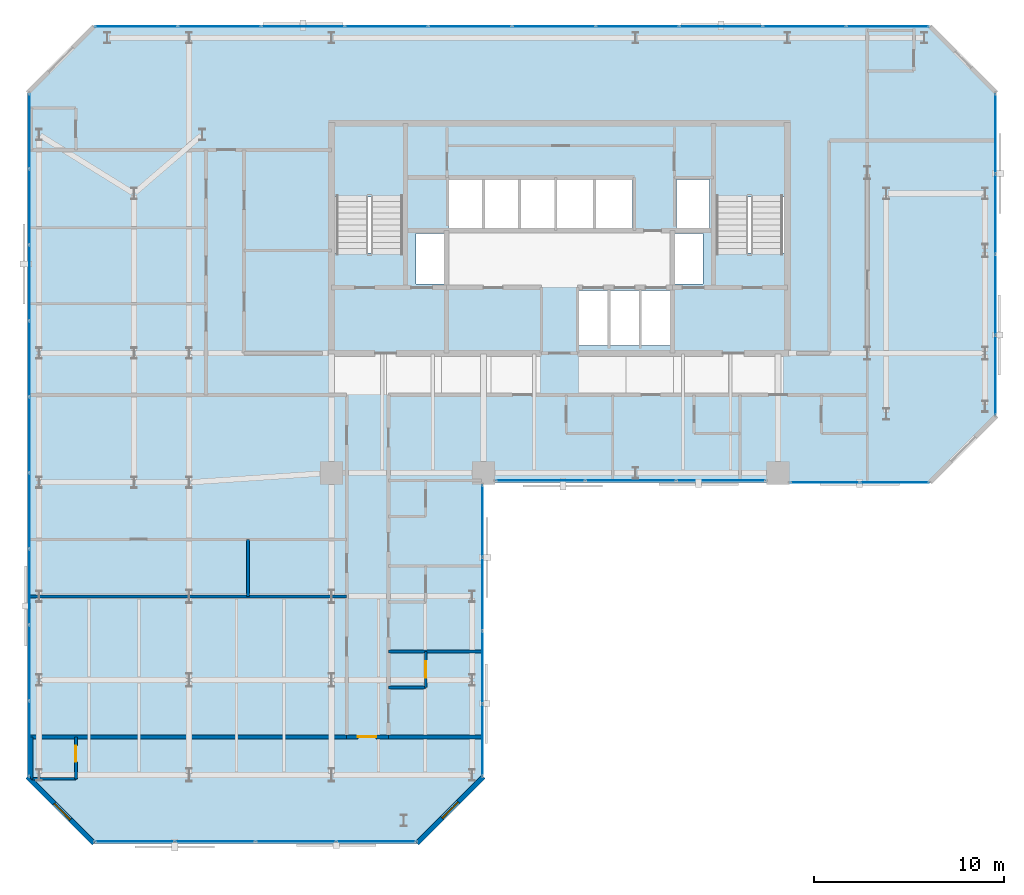
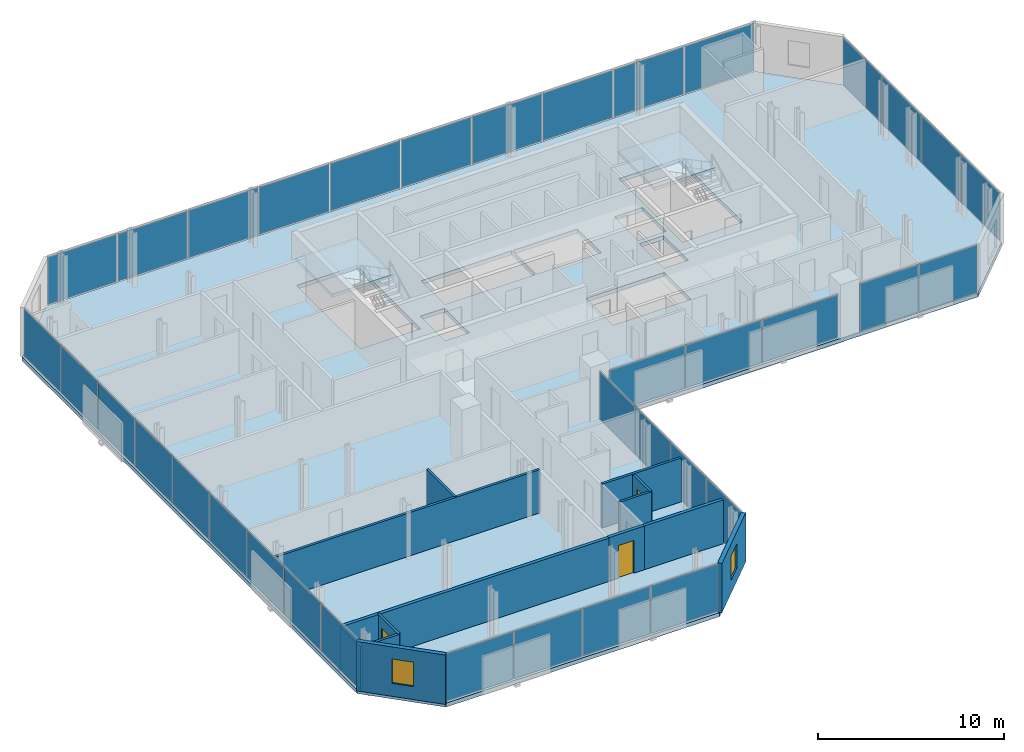
# One storey, part 27 of 32: 36 plates, 13 walls, 3 doors, 3 slabs, 2 windows, 5 openings, 9 elements without a shape of their own.
"""IFC4 building model written with IfcOpenShell, lengths in metres."""

from ifc_helpers import new_model, si_unit, direction, frame, frame_2d, origin, origin_2d, place, context, subcontext, project, spatial, polyline, rectangle, outline, extrude, material, layer, layer_set, type_object, element, fill, aggregate, save


model = new_model("IFC4")

# Units and contexts
model_context = context("Model", 3, precision=1e-05, world=origin(), true_north=direction((0.0, 1.0)))
body_context = subcontext(model_context, "Body", "Model", "MODEL_VIEW")
ifc_project = project(units=[si_unit("LENGTHUNIT", "METRE"), si_unit("AREAUNIT", "SQUARE_METRE"), si_unit("VOLUMEUNIT", "CUBIC_METRE"), si_unit("PLANEANGLEUNIT", "RADIAN"), si_unit("MASSUNIT", "GRAM", prefix="KILO")], contexts=[model_context])

# Site, building, storey
site_placement = place(None, origin())
site = spatial("IfcSite", under=ifc_project, at=site_placement, CompositionType="ELEMENT")
building_placement = place(site_placement, origin())
building = spatial("IfcBuilding", under=site, at=building_placement, Name="Catumbela Crestline Tower", CompositionType="ELEMENT")
storey_placement = place(building_placement, frame((0.0, 0.0, 140.4)))
storey = spatial("IfcBuildingStorey", under=building, at=storey_placement, Name="L36", CompositionType="ELEMENT", Elevation=140.4)

# Curtain wall, plates
ifc_material_1 = material(Name="Aluminium alloy AW-6060-T66", Category="aluminium")
ifc_layer_1 = layer(ifc_material_1, 0.18, Name="Aluminium alloy AW-6060-T66")
ifc_layer_set_1 = layer_set([ifc_layer_1], Name="Aluminium alloy AW-6060-T66")
curtain_wall_type = type_object("IfcCurtainWallType", Name="CWU-Z2", PredefinedType="USERDEFINED", material=ifc_layer_set_1)
curtain_wall_1_placement = place(storey_placement, origin())
curtain_wall_1 = element("IfcCurtainWall", 1, at=curtain_wall_1_placement, inside=storey, type_object=curtain_wall_type, Name="L36 Unitised Curtain Wall CW-L36-E0S1", ObjectType="UNITISED", PredefinedType="USERDEFINED")
ifc_material_2 = material(Name="Low-E laminated solar-control double glazing", Category="glass")
ifc_layer_2 = layer(ifc_material_2, 0.036, Name="Low-E laminated solar-control double glazing")
ifc_layer_set_2 = layer_set([ifc_layer_2], Name="Low-E laminated solar-control double glazing")
plate_type = type_object("IfcPlateType", Name="PNL-GLZ-Z2", PredefinedType="CURTAIN_PANEL", material=ifc_layer_set_2)
plate_1_placement = place(storey_placement, frame((5.6412, 5.1, 0.06), z_axis=(0.0, 0.0, 1.0), x_axis=(1.0, 0.0, 0.0)))
plate_1 = element("IfcPlate", 2, at=plate_1_placement, type_object=plate_type, Name="CWU-Z2 panel 1.1", PredefinedType="CURTAIN_PANEL", context=body_context, shape_type="SweptSolid", body=[
    extrude(rectangle(XDim=4.1525, YDim=0.034, at=origin_2d()), origin(), (0.0, 0.0, 1.0), 3.12),
])
plate_2_placement = place(storey_placement, frame((9.875, 5.1, 0.06), z_axis=(0.0, 0.0, 1.0), x_axis=(1.0, 0.0, 0.0)))
plate_2 = element("IfcPlate", 3, at=plate_2_placement, type_object=plate_type, Name="CWU-Z2 panel 2.1", PredefinedType="CURTAIN_PANEL", context=body_context, shape_type="SweptSolid", body=[
    extrude(rectangle(XDim=4.185, YDim=0.034, at=origin_2d()), origin(), (0.0, 0.0, 1.0), 3.12),
])
plate_3_placement = place(storey_placement, frame((14.125, 5.1, 0.06), z_axis=(0.0, 0.0, 1.0), x_axis=(1.0, 0.0, 0.0)))
plate_3 = element("IfcPlate", 4, at=plate_3_placement, type_object=plate_type, Name="CWU-Z2 panel 3.1", PredefinedType="CURTAIN_PANEL", context=body_context, shape_type="SweptSolid", body=[
    extrude(rectangle(XDim=4.185, YDim=0.034, at=origin_2d()), origin(), (0.0, 0.0, 1.0), 3.12),
])
plate_4_placement = place(storey_placement, frame((18.3588, 5.1, 0.06), z_axis=(0.0, 0.0, 1.0), x_axis=(1.0, 0.0, 0.0)))
plate_4 = element("IfcPlate", 5, at=plate_4_placement, type_object=plate_type, Name="CWU-Z2 panel 4.1", PredefinedType="CURTAIN_PANEL", context=body_context, shape_type="SweptSolid", body=[
    extrude(rectangle(XDim=4.1525, YDim=0.034, at=origin_2d()), origin(), (0.0, 0.0, 1.0), 3.12),
])
aggregate(curtain_wall_1, [plate_1, plate_2, plate_3, plate_4])

curtain_wall_2_placement = place(storey_placement, origin())
curtain_wall_2 = element("IfcCurtainWall", 6, at=curtain_wall_2_placement, inside=storey, type_object=curtain_wall_type, Name="L36 Unitised Curtain Wall CW-L36-E2S1", ObjectType="UNITISED", PredefinedType="USERDEFINED")
plate_5_placement = place(storey_placement, frame((23.95, 10.4412, 0.06), z_axis=(0.0, 0.0, 1.0), x_axis=(0.0, 1.0, 0.0)))
plate_5 = element("IfcPlate", 7, at=plate_5_placement, type_object=plate_type, Name="CWU-Z2 panel 1.1", PredefinedType="CURTAIN_PANEL", context=body_context, shape_type="SweptSolid", body=[
    extrude(rectangle(XDim=3.7525, YDim=0.034, at=origin_2d()), origin(), (0.0, 0.0, 1.0), 3.12),
])
plate_6_placement = place(storey_placement, frame((23.95, 14.275, 0.06), z_axis=(0.0, 0.0, 1.0), x_axis=(0.0, 1.0, 0.0)))
plate_6 = element("IfcPlate", 8, at=plate_6_placement, type_object=plate_type, Name="CWU-Z2 panel 2.1", PredefinedType="CURTAIN_PANEL", context=body_context, shape_type="SweptSolid", body=[
    extrude(rectangle(XDim=3.785, YDim=0.034, at=origin_2d()), origin(), (0.0, 0.0, 1.0), 3.12),
])
plate_7_placement = place(storey_placement, frame((23.95, 18.125, 0.06), z_axis=(0.0, 0.0, 1.0), x_axis=(0.0, 1.0, 0.0)))
plate_7 = element("IfcPlate", 9, at=plate_7_placement, type_object=plate_type, Name="CWU-Z2 panel 3.1", PredefinedType="CURTAIN_PANEL", context=body_context, shape_type="SweptSolid", body=[
    extrude(rectangle(XDim=3.785, YDim=0.034, at=origin_2d()), origin(), (0.0, 0.0, 1.0), 3.12),
])
plate_8_placement = place(storey_placement, frame((23.95, 21.9587, 0.06), z_axis=(0.0, 0.0, 1.0), x_axis=(0.0, 1.0, 0.0)))
plate_8 = element("IfcPlate", 10, at=plate_8_placement, type_object=plate_type, Name="CWU-Z2 panel 4.1", PredefinedType="CURTAIN_PANEL", context=body_context, shape_type="SweptSolid", body=[
    extrude(rectangle(XDim=3.7525, YDim=0.034, at=origin_2d()), origin(), (0.0, 0.0, 1.0), 3.12),
])
aggregate(curtain_wall_2, [plate_5, plate_6, plate_7, plate_8])

curtain_wall_3_placement = place(storey_placement, origin())
curtain_wall_3 = element("IfcCurtainWall", 11, at=curtain_wall_3_placement, inside=storey, type_object=curtain_wall_type, Name="L36 Unitised Curtain Wall CW-L36-E3S1", ObjectType="UNITISED", PredefinedType="USERDEFINED")
plate_9_placement = place(storey_placement, frame((26.9996, 24.1, 0.06), z_axis=(0.0, 0.0, 1.0), x_axis=(1.0, 0.0, 0.0)))
plate_9 = element("IfcPlate", 12, at=plate_9_placement, type_object=plate_type, Name="CWU-Z2 panel 1.1", PredefinedType="CURTAIN_PANEL", context=body_context, shape_type="SweptSolid", body=[
    extrude(rectangle(XDim=4.6692, YDim=0.034, at=origin_2d()), origin(), (0.0, 0.0, 1.0), 2.8),
])
plate_10_placement = place(storey_placement, frame((31.75, 24.1, 0.06), z_axis=(0.0, 0.0, 1.0), x_axis=(1.0, 0.0, 0.0)))
plate_10 = element("IfcPlate", 13, at=plate_10_placement, type_object=plate_type, Name="CWU-Z2 panel 2.1", PredefinedType="CURTAIN_PANEL", context=body_context, shape_type="SweptSolid", body=[
    extrude(rectangle(XDim=4.7017, YDim=0.034, at=origin_2d()), origin(), (0.0, 0.0, 1.0), 2.8),
])
plate_11_placement = place(storey_placement, frame((36.5004, 24.1, 0.06), z_axis=(0.0, 0.0, 1.0), x_axis=(1.0, 0.0, 0.0)))
plate_11 = element("IfcPlate", 14, at=plate_11_placement, type_object=plate_type, Name="CWU-Z2 panel 3.1", PredefinedType="CURTAIN_PANEL", context=body_context, shape_type="SweptSolid", body=[
    extrude(rectangle(XDim=4.6692, YDim=0.034, at=origin_2d()), origin(), (0.0, 0.0, 1.0), 2.8),
])
aggregate(curtain_wall_3, [plate_9, plate_10, plate_11])

curtain_wall_4_placement = place(storey_placement, origin())
curtain_wall_4 = element("IfcCurtainWall", 15, at=curtain_wall_4_placement, inside=storey, type_object=curtain_wall_type, Name="L36 Unitised Curtain Wall CW-L36-E3S2", ObjectType="UNITISED", PredefinedType="USERDEFINED")
plate_12_placement = place(storey_placement, frame((41.9662, 24.0, 0.06), z_axis=(0.0, 0.0, 1.0), x_axis=(1.0, 0.0, 0.0)))
plate_12 = element("IfcPlate", 16, at=plate_12_placement, type_object=plate_type, Name="CWU-Z2 panel 1.1", PredefinedType="CURTAIN_PANEL", context=body_context, shape_type="SweptSolid", body=[
    extrude(rectangle(XDim=3.6025, YDim=0.034, at=origin_2d()), origin(), (0.0, 0.0, 1.0), 3.12),
])
plate_13_placement = place(storey_placement, frame((45.6338, 24.0, 0.06), z_axis=(0.0, 0.0, 1.0), x_axis=(1.0, 0.0, 0.0)))
plate_13 = element("IfcPlate", 17, at=plate_13_placement, type_object=plate_type, Name="CWU-Z2 panel 2.1", PredefinedType="CURTAIN_PANEL", context=body_context, shape_type="SweptSolid", body=[
    extrude(rectangle(XDim=3.6025, YDim=0.034, at=origin_2d()), origin(), (0.0, 0.0, 1.0), 3.12),
])
aggregate(curtain_wall_4, [plate_12, plate_13])

curtain_wall_5_placement = place(storey_placement, origin())
curtain_wall_5 = element("IfcCurtainWall", 18, at=curtain_wall_5_placement, inside=storey, type_object=curtain_wall_type, Name="L36 Unitised Curtain Wall CW-L36-E5S1", ObjectType="UNITISED", PredefinedType="USERDEFINED")
plate_14_placement = place(storey_placement, frame((50.95, 29.6412, 0.06), z_axis=(0.0, 0.0, 1.0), x_axis=(0.0, 1.0, 0.0)))
plate_14 = element("IfcPlate", 19, at=plate_14_placement, type_object=plate_type, Name="CWU-Z2 panel 1.1", PredefinedType="CURTAIN_PANEL", context=body_context, shape_type="SweptSolid", body=[
    extrude(rectangle(XDim=4.1525, YDim=0.034, at=origin_2d()), origin(), (0.0, 0.0, 1.0), 3.12),
])
plate_15_placement = place(storey_placement, frame((50.95, 33.875, 0.06), z_axis=(0.0, 0.0, 1.0), x_axis=(0.0, 1.0, 0.0)))
plate_15 = element("IfcPlate", 20, at=plate_15_placement, type_object=plate_type, Name="CWU-Z2 panel 2.1", PredefinedType="CURTAIN_PANEL", context=body_context, shape_type="SweptSolid", body=[
    extrude(rectangle(XDim=4.185, YDim=0.034, at=origin_2d()), origin(), (0.0, 0.0, 1.0), 3.12),
])
plate_16_placement = place(storey_placement, frame((50.95, 38.125, 0.06), z_axis=(0.0, 0.0, 1.0), x_axis=(0.0, 1.0, 0.0)))
plate_16 = element("IfcPlate", 21, at=plate_16_placement, type_object=plate_type, Name="CWU-Z2 panel 3.1", PredefinedType="CURTAIN_PANEL", context=body_context, shape_type="SweptSolid", body=[
    extrude(rectangle(XDim=4.185, YDim=0.034, at=origin_2d()), origin(), (0.0, 0.0, 1.0), 3.12),
])
plate_17_placement = place(storey_placement, frame((50.95, 42.3588, 0.06), z_axis=(0.0, 0.0, 1.0), x_axis=(0.0, 1.0, 0.0)))
plate_17 = element("IfcPlate", 22, at=plate_17_placement, type_object=plate_type, Name="CWU-Z2 panel 4.1", PredefinedType="CURTAIN_PANEL", context=body_context, shape_type="SweptSolid", body=[
    extrude(rectangle(XDim=4.1525, YDim=0.034, at=origin_2d()), origin(), (0.0, 0.0, 1.0), 3.12),
])
aggregate(curtain_wall_5, [plate_14, plate_15, plate_16, plate_17])

curtain_wall_6_placement = place(storey_placement, origin())
curtain_wall_6 = element("IfcCurtainWall", 23, at=curtain_wall_6_placement, inside=storey, type_object=curtain_wall_type, Name="L36 Unitised Curtain Wall CW-L36-E7S1", ObjectType="UNITISED", PredefinedType="USERDEFINED")
plate_18_placement = place(storey_placement, frame((45.2838, 48.0, 0.06), z_axis=(0.0, 0.0, 1.0), x_axis=(-1.0, 0.0, 0.0)))
plate_18 = element("IfcPlate", 24, at=plate_18_placement, type_object=plate_type, Name="CWU-Z2 panel 1.1", PredefinedType="CURTAIN_PANEL", context=body_context, shape_type="SweptSolid", body=[
    extrude(rectangle(XDim=4.3025, YDim=0.034, at=origin_2d()), origin(), (0.0, 0.0, 1.0), 3.12),
])
plate_19_placement = place(storey_placement, frame((40.9, 48.0, 0.06), z_axis=(0.0, 0.0, 1.0), x_axis=(-1.0, 0.0, 0.0)))
plate_19 = element("IfcPlate", 25, at=plate_19_placement, type_object=plate_type, Name="CWU-Z2 panel 2.1", PredefinedType="CURTAIN_PANEL", context=body_context, shape_type="SweptSolid", body=[
    extrude(rectangle(XDim=4.335, YDim=0.034, at=origin_2d()), origin(), (0.0, 0.0, 1.0), 3.12),
])
plate_20_placement = place(storey_placement, frame((36.5, 48.0, 0.06), z_axis=(0.0, 0.0, 1.0), x_axis=(-1.0, 0.0, 0.0)))
plate_20 = element("IfcPlate", 26, at=plate_20_placement, type_object=plate_type, Name="CWU-Z2 panel 3.1", PredefinedType="CURTAIN_PANEL", context=body_context, shape_type="SweptSolid", body=[
    extrude(rectangle(XDim=4.335, YDim=0.034, at=origin_2d()), origin(), (0.0, 0.0, 1.0), 3.12),
])
plate_21_placement = place(storey_placement, frame((32.1, 48.0, 0.06), z_axis=(0.0, 0.0, 1.0), x_axis=(-1.0, 0.0, 0.0)))
plate_21 = element("IfcPlate", 27, at=plate_21_placement, type_object=plate_type, Name="CWU-Z2 panel 4.1", PredefinedType="CURTAIN_PANEL", context=body_context, shape_type="SweptSolid", body=[
    extrude(rectangle(XDim=4.335, YDim=0.034, at=origin_2d()), origin(), (0.0, 0.0, 1.0), 3.12),
])
plate_22_placement = place(storey_placement, frame((27.7, 48.0, 0.06), z_axis=(0.0, 0.0, 1.0), x_axis=(-1.0, 0.0, 0.0)))
plate_22 = element("IfcPlate", 28, at=plate_22_placement, type_object=plate_type, Name="CWU-Z2 panel 5.1", PredefinedType="CURTAIN_PANEL", context=body_context, shape_type="SweptSolid", body=[
    extrude(rectangle(XDim=4.335, YDim=0.034, at=origin_2d()), origin(), (0.0, 0.0, 1.0), 3.12),
])
plate_23_placement = place(storey_placement, frame((23.3, 48.0, 0.06), z_axis=(0.0, 0.0, 1.0), x_axis=(-1.0, 0.0, 0.0)))
plate_23 = element("IfcPlate", 29, at=plate_23_placement, type_object=plate_type, Name="CWU-Z2 panel 6.1", PredefinedType="CURTAIN_PANEL", context=body_context, shape_type="SweptSolid", body=[
    extrude(rectangle(XDim=4.335, YDim=0.034, at=origin_2d()), origin(), (0.0, 0.0, 1.0), 3.12),
])
plate_24_placement = place(storey_placement, frame((18.9, 48.0, 0.06), z_axis=(0.0, 0.0, 1.0), x_axis=(-1.0, 0.0, 0.0)))
plate_24 = element("IfcPlate", 30, at=plate_24_placement, type_object=plate_type, Name="CWU-Z2 panel 7.1", PredefinedType="CURTAIN_PANEL", context=body_context, shape_type="SweptSolid", body=[
    extrude(rectangle(XDim=4.335, YDim=0.034, at=origin_2d()), origin(), (0.0, 0.0, 1.0), 3.12),
])
plate_25_placement = place(storey_placement, frame((14.5, 48.0, 0.06), z_axis=(0.0, 0.0, 1.0), x_axis=(-1.0, 0.0, 0.0)))
plate_25 = element("IfcPlate", 31, at=plate_25_placement, type_object=plate_type, Name="CWU-Z2 panel 8.1", PredefinedType="CURTAIN_PANEL", context=body_context, shape_type="SweptSolid", body=[
    extrude(rectangle(XDim=4.335, YDim=0.034, at=origin_2d()), origin(), (0.0, 0.0, 1.0), 3.12),
])
plate_26_placement = place(storey_placement, frame((10.1, 48.0, 0.06), z_axis=(0.0, 0.0, 1.0), x_axis=(-1.0, 0.0, 0.0)))
plate_26 = element("IfcPlate", 32, at=plate_26_placement, type_object=plate_type, Name="CWU-Z2 panel 9.1", PredefinedType="CURTAIN_PANEL", context=body_context, shape_type="SweptSolid", body=[
    extrude(rectangle(XDim=4.335, YDim=0.034, at=origin_2d()), origin(), (0.0, 0.0, 1.0), 3.12),
])
plate_27_placement = place(storey_placement, frame((5.7162, 48.0, 0.06), z_axis=(0.0, 0.0, 1.0), x_axis=(-1.0, 0.0, 0.0)))
plate_27 = element("IfcPlate", 33, at=plate_27_placement, type_object=plate_type, Name="CWU-Z2 panel 10.1", PredefinedType="CURTAIN_PANEL", context=body_context, shape_type="SweptSolid", body=[
    extrude(rectangle(XDim=4.3025, YDim=0.034, at=origin_2d()), origin(), (0.0, 0.0, 1.0), 3.12),
])
aggregate(curtain_wall_6, [plate_18, plate_19, plate_20, plate_21, plate_22, plate_23, plate_24, plate_25, plate_26, plate_27])

curtain_wall_7_placement = place(storey_placement, origin())
curtain_wall_7 = element("IfcCurtainWall", 34, at=curtain_wall_7_placement, inside=storey, type_object=curtain_wall_type, Name="L36 Unitised Curtain Wall CW-L36-E9S1", ObjectType="UNITISED", PredefinedType="USERDEFINED")
plate_28_placement = place(storey_placement, frame((0.1, 42.4838, 0.06), z_axis=(0.0, 0.0, 1.0), x_axis=(0.0, -1.0, 0.0)))
plate_28 = element("IfcPlate", 35, at=plate_28_placement, type_object=plate_type, Name="CWU-Z2 panel 1.1", PredefinedType="CURTAIN_PANEL", context=body_context, shape_type="SweptSolid", body=[
    extrude(rectangle(XDim=3.9025, YDim=0.034, at=origin_2d()), origin(), (0.0, 0.0, 1.0), 3.12),
])
plate_29_placement = place(storey_placement, frame((0.1, 38.5, 0.06), z_axis=(0.0, 0.0, 1.0), x_axis=(0.0, -1.0, 0.0)))
plate_29 = element("IfcPlate", 36, at=plate_29_placement, type_object=plate_type, Name="CWU-Z2 panel 2.1", PredefinedType="CURTAIN_PANEL", context=body_context, shape_type="SweptSolid", body=[
    extrude(rectangle(XDim=3.935, YDim=0.034, at=origin_2d()), origin(), (0.0, 0.0, 1.0), 3.12),
])
plate_30_placement = place(storey_placement, frame((0.1, 34.5, 0.06), z_axis=(0.0, 0.0, 1.0), x_axis=(0.0, -1.0, 0.0)))
plate_30 = element("IfcPlate", 37, at=plate_30_placement, type_object=plate_type, Name="CWU-Z2 panel 3.1", PredefinedType="CURTAIN_PANEL", context=body_context, shape_type="SweptSolid", body=[
    extrude(rectangle(XDim=3.935, YDim=0.034, at=origin_2d()), origin(), (0.0, 0.0, 1.0), 3.12),
])
plate_31_placement = place(storey_placement, frame((0.1, 30.5, 0.06), z_axis=(0.0, 0.0, 1.0), x_axis=(0.0, -1.0, 0.0)))
plate_31 = element("IfcPlate", 38, at=plate_31_placement, type_object=plate_type, Name="CWU-Z2 panel 4.1", PredefinedType="CURTAIN_PANEL", context=body_context, shape_type="SweptSolid", body=[
    extrude(rectangle(XDim=3.935, YDim=0.034, at=origin_2d()), origin(), (0.0, 0.0, 1.0), 3.12),
])
plate_32_placement = place(storey_placement, frame((0.1, 26.5, 0.06), z_axis=(0.0, 0.0, 1.0), x_axis=(0.0, -1.0, 0.0)))
plate_32 = element("IfcPlate", 39, at=plate_32_placement, type_object=plate_type, Name="CWU-Z2 panel 5.1", PredefinedType="CURTAIN_PANEL", context=body_context, shape_type="SweptSolid", body=[
    extrude(rectangle(XDim=3.935, YDim=0.034, at=origin_2d()), origin(), (0.0, 0.0, 1.0), 3.12),
])
plate_33_placement = place(storey_placement, frame((0.1, 22.5, 0.06), z_axis=(0.0, 0.0, 1.0), x_axis=(0.0, -1.0, 0.0)))
plate_33 = element("IfcPlate", 40, at=plate_33_placement, type_object=plate_type, Name="CWU-Z2 panel 6.1", PredefinedType="CURTAIN_PANEL", context=body_context, shape_type="SweptSolid", body=[
    extrude(rectangle(XDim=3.935, YDim=0.034, at=origin_2d()), origin(), (0.0, 0.0, 1.0), 3.12),
])
plate_34_placement = place(storey_placement, frame((0.1, 18.5, 0.06), z_axis=(0.0, 0.0, 1.0), x_axis=(0.0, -1.0, 0.0)))
plate_34 = element("IfcPlate", 41, at=plate_34_placement, type_object=plate_type, Name="CWU-Z2 panel 7.1", PredefinedType="CURTAIN_PANEL", context=body_context, shape_type="SweptSolid", body=[
    extrude(rectangle(XDim=3.935, YDim=0.034, at=origin_2d()), origin(), (0.0, 0.0, 1.0), 3.12),
])
plate_35_placement = place(storey_placement, frame((0.1, 14.5, 0.06), z_axis=(0.0, 0.0, 1.0), x_axis=(0.0, -1.0, 0.0)))
plate_35 = element("IfcPlate", 42, at=plate_35_placement, type_object=plate_type, Name="CWU-Z2 panel 8.1", PredefinedType="CURTAIN_PANEL", context=body_context, shape_type="SweptSolid", body=[
    extrude(rectangle(XDim=3.935, YDim=0.034, at=origin_2d()), origin(), (0.0, 0.0, 1.0), 3.12),
])
plate_36_placement = place(storey_placement, frame((0.1, 10.5162, 0.06), z_axis=(0.0, 0.0, 1.0), x_axis=(0.0, -1.0, 0.0)))
plate_36 = element("IfcPlate", 43, at=plate_36_placement, type_object=plate_type, Name="CWU-Z2 panel 9.1", PredefinedType="CURTAIN_PANEL", context=body_context, shape_type="SweptSolid", body=[
    extrude(rectangle(XDim=3.9025, YDim=0.034, at=origin_2d()), origin(), (0.0, 0.0, 1.0), 3.12),
])
aggregate(curtain_wall_7, [plate_28, plate_29, plate_30, plate_31, plate_32, plate_33, plate_34, plate_35, plate_36])

# Stair, slab
ifc_material_3 = material(Name="Concrete C45/55", Category="concrete")
stair_type = type_object("IfcStairType", Name="ST-DLG", PredefinedType="HALF_TURN_STAIR", material=ifc_material_3)
stair_1_placement = place(storey_placement, origin())
stair_1 = element("IfcStair", 44, at=stair_1_placement, inside=storey, type_object=stair_type, Name="L36 West Core Pressurised Exit Stair ST-01", PredefinedType="HALF_TURN_STAIR")
ifc_layer_3 = layer(ifc_material_3, 0.2, Name="Concrete C45/55")
ifc_layer_set_3 = layer_set([ifc_layer_3], Name="Concrete C45/55")
slab_type_1 = type_object("IfcSlabType", Name="SL-LND", PredefinedType="LANDING", material=ifc_layer_set_3)
slab_1_placement = place(storey_placement, frame((0.0, 0.0, 1.6)))
slab_1 = element("IfcSlab", 45, at=slab_1_placement, type_object=slab_type_1, Name="ST-01 landing 1", PredefinedType="LANDING", context=body_context, shape_type="SweptSolid", body=[
    extrude(outline(polyline([(19.91, 39.02), (19.91, 42.96), (16.09, 42.96), (16.09, 39.02), (19.91, 39.02)])), origin(), (0.0, 0.0, 1.0), 0.2),
])
aggregate(stair_1, [slab_1])

stair_2_placement = place(storey_placement, origin())
stair_2 = element("IfcStair", 46, at=stair_2_placement, inside=storey, type_object=stair_type, Name="L36 East Core Pressurised Exit Stair ST-02", PredefinedType="HALF_TURN_STAIR")
slab_2_placement = place(storey_placement, frame((0.0, 0.0, 1.6)))
slab_2 = element("IfcSlab", 47, at=slab_2_placement, type_object=slab_type_1, Name="ST-02 landing 1", PredefinedType="LANDING", context=body_context, shape_type="SweptSolid", body=[
    extrude(outline(polyline([(39.91, 39.02), (39.91, 42.96), (36.09, 42.96), (36.09, 39.02), (39.91, 39.02)])), origin(), (0.0, 0.0, 1.0), 0.2),
])
aggregate(stair_2, [slab_2])

# Slab
ifc_layer_4 = layer(ifc_material_3, 0.26, Name="Concrete C45/55")
ifc_layer_set_4 = layer_set([ifc_layer_4], Name="Concrete C45/55")
slab_type_2 = type_object("IfcSlabType", Name="SL-260", PredefinedType="FLOOR", material=ifc_layer_set_4)
slab_3_placement = place(storey_placement, frame((0.0, 0.0, -0.26)))
element("IfcSlab", 48, at=slab_3_placement, inside=storey, type_object=slab_type_2, Name="L36 Structural Floor Slab", PredefinedType="FLOOR", context=body_context, shape_type="SweptSolid", body=[
    extrude(outline(polyline([(3.5, 5.0), (20.5, 5.0), (24.0, 8.5), (24.0, 24.0), (47.5, 24.0), (51.0, 27.5), (51.0, 44.5), (47.5, 48.0), (3.5, 48.0), (0.0, 44.5), (0.0, 8.5), (3.5, 5.0)]), holes=[polyline([(16.13, 36.08), (19.87, 36.08), (19.87, 42.92), (16.13, 42.92), (16.13, 36.08)]), polyline([(36.13, 36.08), (39.87, 36.08), (39.87, 42.92), (36.13, 42.92), (36.13, 36.08)]), polyline([(29.0, 31.2), (33.85, 31.2), (33.85, 34.1), (29.0, 34.1), (29.0, 31.2)]), polyline([(22.15, 37.4), (27.75, 37.4), (27.75, 39.95), (22.15, 39.95), (22.15, 37.4)]), polyline([(27.85, 37.4), (31.85, 37.4), (31.85, 39.95), (27.85, 39.95), (27.85, 37.4)]), polyline([(20.45, 34.45), (21.95, 34.45), (21.95, 37.1), (20.45, 37.1), (20.45, 34.45)]), polyline([(34.05, 34.45), (35.55, 34.45), (35.55, 37.1), (34.05, 37.1), (34.05, 34.45)]), polyline([(34.15, 37.4), (35.9, 37.4), (35.9, 39.95), (34.15, 39.95), (34.15, 37.4)])]), origin(), (0.0, 0.0, 1.0), 0.26),
])

# Wall, opening, door
ifc_material_4 = material(Name="Acoustic gypsum and mineral-wool partition")
ifc_layer_5 = layer(ifc_material_4, 0.2, Name="Acoustic gypsum and mineral-wool partition")
ifc_layer_set_5 = layer_set([ifc_layer_5], Name="Acoustic gypsum and mineral-wool partition")
wall_type_1 = type_object("IfcWallType", Name="WC-200", PredefinedType="PARTITIONING", material=ifc_layer_set_5)
wall_1_placement = place(storey_placement, frame((16.8, 10.6, 0.0), z_axis=(0.0, 0.0, 1.0), x_axis=(1.0, 0.0, 0.0)))
wall_1 = element("IfcWall", 49, at=wall_1_placement, inside=storey, type_object=wall_type_1, Name="L36 Interior Partition PW-L36-STIP-ENT", PredefinedType="PARTITIONING", context=body_context, shape_type="SweptSolid", body=[
    extrude(rectangle(XDim=2.2, YDim=0.2, at=frame_2d((1.1, 0.0))), origin(), (0.0, 0.0, 1.0), 2.87),
])
opening_1_placement = place(wall_1_placement, frame((0.5925, 0.0, 0.0)))
opening_1 = element("IfcOpeningElement", 50, at=opening_1_placement, cuts=wall_1, Name="Opening DF6-095", PredefinedType="OPENING", context=body_context, shape_type="SweptSolid", body=[
    extrude(rectangle(XDim=0.95, YDim=2.15, at=frame_2d((0.475, 1.075))), frame((0.0, 0.11, 0.0), z_axis=(0.0, -1.0, 0.0), x_axis=(1.0, 0.0, 0.0)), (0.0, 0.0, 1.0), 0.22),
])
door_type_1 = type_object("IfcDoorType", Name="DF6-095", OperationType="NOTDEFINED", PredefinedType="DOOR", material=ifc_material_1)
door_1_placement = place(opening_1_placement, origin())
door_1 = element("IfcDoor", 51, at=door_1_placement, inside=storey, type_object=door_type_1, Name="L36 Interior Door DR-L36-STIP-ENT", OperationType="SINGLE_SWING_LEFT", OverallHeight=2.15, OverallWidth=0.95, PredefinedType="DOOR", context=body_context, shape_type="SweptSolid", body=[
    extrude(rectangle(XDim=0.95, YDim=2.15, at=frame_2d((0.475, 1.075))), frame((0.0, 0.025, 0.0), z_axis=(0.0, -1.0, 0.0), x_axis=(1.0, 0.0, 0.0)), (0.0, 0.0, 1.0), 0.05),
])
fill(opening_1, door_1)

# Wall, opening, window
ifc_material_5 = material(Name="Angolan grey-ochre granite", Category="masonry")
ifc_layer_6 = layer(ifc_material_5, 0.25, Name="Angolan grey-ochre granite")
ifc_layer_set_6 = layer_set([ifc_layer_6], Name="Angolan grey-ochre granite")
wall_type_2 = type_object("IfcWallType", Name="WE-250", PredefinedType="STANDARD", material=ifc_layer_set_6)
wall_2_placement = place(storey_placement, frame((20.5, 5.0, 0.0), z_axis=(0.0, 0.0, 1.0), x_axis=(0.707106781187, 0.707106781187, 0.0)))
wall_2 = element("IfcWall", 52, at=wall_2_placement, inside=storey, type_object=wall_type_2, Name="L36 Granite Punched Window Wall 1-1", PredefinedType="STANDARD", context=body_context, shape_type="SweptSolid", body=[
    extrude(rectangle(XDim=4.9497, YDim=0.25, at=frame_2d((2.4748, 0.0))), origin(), (0.0, 0.0, 1.0), 3.24),
])
opening_2_placement = place(wall_2_placement, frame((1.8748, 0.0, 0.85)))
opening_2 = element("IfcOpeningElement", 53, at=opening_2_placement, cuts=wall_2, Name="Opening WN-02", PredefinedType="OPENING", context=body_context, shape_type="SweptSolid", body=[
    extrude(rectangle(XDim=1.2, YDim=1.6, at=frame_2d((0.6, 0.8))), frame((0.0, 0.135, 0.0), z_axis=(0.0, -1.0, 0.0), x_axis=(1.0, 0.0, 0.0)), (0.0, 0.0, 1.0), 0.27),
])
window_type = type_object("IfcWindowType", Name="WO-1200", PartitioningType="SINGLE_PANEL", PredefinedType="WINDOW", material=ifc_material_2)
window_1_placement = place(opening_2_placement, origin())
window_1 = element("IfcWindow", 54, at=window_1_placement, inside=storey, type_object=window_type, Name="L36 Facade Vision Window 200", OverallHeight=1.6, OverallWidth=1.2, PartitioningType="SINGLE_PANEL", PredefinedType="WINDOW", context=body_context, shape_type="SweptSolid", body=[
    extrude(rectangle(XDim=1.2, YDim=1.6, at=frame_2d((0.6, 0.8))), frame((0.0, 0.03, 0.0), z_axis=(0.0, -1.0, 0.0), x_axis=(1.0, 0.0, 0.0)), (0.0, 0.0, 1.0), 0.06),
])
fill(opening_2, window_1)

wall_3_placement = place(storey_placement, frame((0.0, 8.5, 0.0), z_axis=(0.0, 0.0, 1.0), x_axis=(0.707106781187, -0.707106781187, 0.0)))
wall_3 = element("IfcWall", 55, at=wall_3_placement, inside=storey, type_object=wall_type_2, Name="L36 Granite Punched Window Wall 10-1", PredefinedType="STANDARD", context=body_context, shape_type="SweptSolid", body=[
    extrude(rectangle(XDim=4.9497, YDim=0.25, at=frame_2d((2.4748, 0.0))), origin(), (0.0, 0.0, 1.0), 3.24),
])
opening_3_placement = place(wall_3_placement, frame((1.9851, 0.0, 0.85)))
opening_3 = element("IfcOpeningElement", 56, at=opening_3_placement, cuts=wall_3, Name="Opening WN-02", PredefinedType="OPENING", context=body_context, shape_type="SweptSolid", body=[
    extrude(rectangle(XDim=1.2, YDim=1.6, at=frame_2d((0.6, 0.8))), frame((0.0, 0.135, 0.0), z_axis=(0.0, -1.0, 0.0), x_axis=(1.0, 0.0, 0.0)), (0.0, 0.0, 1.0), 0.27),
])
window_2_placement = place(opening_3_placement, origin())
window_2 = element("IfcWindow", 57, at=window_2_placement, inside=storey, type_object=window_type, Name="L36 Facade Vision Window 204", OverallHeight=1.6, OverallWidth=1.2, PartitioningType="SINGLE_PANEL", PredefinedType="WINDOW", context=body_context, shape_type="SweptSolid", body=[
    extrude(rectangle(XDim=1.2, YDim=1.6, at=frame_2d((0.6, 0.8))), frame((0.0, 0.03, 0.0), z_axis=(0.0, -1.0, 0.0), x_axis=(1.0, 0.0, 0.0)), (0.0, 0.0, 1.0), 0.06),
])
fill(opening_3, window_2)

# Walls
ifc_layer_7 = layer(ifc_material_4, 0.15, Name="Acoustic gypsum and mineral-wool partition")
ifc_layer_set_7 = layer_set([ifc_layer_7], Name="Acoustic gypsum and mineral-wool partition")
wall_type_3 = type_object("IfcWallType", Name="WP-150", PredefinedType="PARTITIONING", material=ifc_layer_set_7)
wall_4_placement = place(storey_placement, frame((0.1, 18.0, 0.0), z_axis=(0.0, 0.0, 1.0), x_axis=(1.0, 0.0, 0.0)))
element("IfcWall", 58, at=wall_4_placement, inside=storey, type_object=wall_type_3, Name="L36 Interior Partition PW-L36-Z2W-1", PredefinedType="PARTITIONING", context=body_context, shape_type="SweptSolid", body=[
    extrude(rectangle(XDim=16.7, YDim=0.15, at=frame_2d((8.35, 0.0))), origin(), (0.0, 0.0, 1.0), 2.84),
])
wall_5_placement = place(storey_placement, frame((11.6, 18.0, 0.0), z_axis=(0.0, 0.0, 1.0), x_axis=(0.0, 1.0, 0.0)))
element("IfcWall", 59, at=wall_5_placement, inside=storey, type_object=wall_type_3, Name="L36 Interior Partition PW-L36-Z2W-WCX", PredefinedType="PARTITIONING", context=body_context, shape_type="SweptSolid", body=[
    extrude(rectangle(XDim=3.0, YDim=0.15, at=frame_2d((1.5, 0.0))), origin(), (0.0, 0.0, 1.0), 2.84),
])
wall_6_placement = place(storey_placement, frame((0.2, 8.4, 0.0), z_axis=(0.0, 0.0, 1.0), x_axis=(1.0, 0.0, 0.0)))
element("IfcWall", 60, at=wall_6_placement, inside=storey, type_object=wall_type_3, Name="L36 Interior Partition PW-L36-STIP-BHW", PredefinedType="PARTITIONING", context=body_context, shape_type="SweptSolid", body=[
    extrude(rectangle(XDim=2.35, YDim=0.15, at=frame_2d((1.175, 0.0))), origin(), (0.0, 0.0, 1.0), 2.84),
])

# Wall, opening, door
wall_7_placement = place(storey_placement, frame((2.55, 8.4, 0.0), z_axis=(0.0, 0.0, 1.0), x_axis=(0.0, 1.0, 0.0)))
wall_7 = element("IfcWall", 61, at=wall_7_placement, inside=storey, type_object=wall_type_3, Name="L36 Interior Partition PW-L36-STIP-BEW", PredefinedType="PARTITIONING", context=body_context, shape_type="SweptSolid", body=[
    extrude(rectangle(XDim=2.2, YDim=0.15, at=frame_2d((1.1, 0.0))), origin(), (0.0, 0.0, 1.0), 2.84),
])
opening_4_placement = place(wall_7_placement, frame((0.8925, 0.0, 0.0)))
opening_4 = element("IfcOpeningElement", 62, at=opening_4_placement, cuts=wall_7, Name="Opening DI-085", PredefinedType="OPENING", context=body_context, shape_type="SweptSolid", body=[
    extrude(rectangle(XDim=0.85, YDim=2.15, at=frame_2d((0.425, 1.075))), frame((0.0, 0.085, 0.0), z_axis=(0.0, -1.0, 0.0), x_axis=(1.0, 0.0, 0.0)), (0.0, 0.0, 1.0), 0.17),
])
door_type_2 = type_object("IfcDoorType", Name="DI-085", OperationType="NOTDEFINED", PredefinedType="DOOR", material=ifc_material_1)
door_2_placement = place(opening_4_placement, origin())
door_2 = element("IfcDoor", 63, at=door_2_placement, inside=storey, type_object=door_type_2, Name="L36 Interior Door DR-L36-STIP-BTH", OperationType="SINGLE_SWING_LEFT", OverallHeight=2.15, OverallWidth=0.85, PredefinedType="DOOR", context=body_context, shape_type="SweptSolid", body=[
    extrude(rectangle(XDim=0.85, YDim=2.15, at=frame_2d((0.425, 1.075))), frame((0.0, 0.025, 0.0), z_axis=(0.0, -1.0, 0.0), x_axis=(1.0, 0.0, 0.0)), (0.0, 0.0, 1.0), 0.05),
])
fill(opening_4, door_2)

# Walls
wall_8_placement = place(storey_placement, frame((0.22, 8.38, 0.0), z_axis=(0.0, 0.0, 1.0), x_axis=(0.0, 1.0, 0.0)))
element("IfcWall", 64, at=wall_8_placement, inside=storey, type_object=wall_type_3, Name="L36 Interior Partition PW-L36-STIP-BCL-3", PredefinedType="PARTITIONING", context=body_context, shape_type="SweptSolid", body=[
    extrude(rectangle(XDim=2.22, YDim=0.15, at=frame_2d((1.11, 0.0))), origin(), (0.0, 0.0, 1.0), 2.84),
])
wall_9_placement = place(storey_placement, frame((19.0, 13.2, 0.0), z_axis=(0.0, 0.0, 1.0), x_axis=(1.0, 0.0, 0.0)))
element("IfcWall", 65, at=wall_9_placement, inside=storey, type_object=wall_type_3, Name="L36 Interior Partition PW-L36-SW1-BSW", PredefinedType="PARTITIONING", context=body_context, shape_type="SweptSolid", body=[
    extrude(rectangle(XDim=1.96, YDim=0.15, at=frame_2d((0.98, 0.0))), origin(), (0.0, 0.0, 1.0), 2.84),
])

# Wall, opening, door
wall_10_placement = place(storey_placement, frame((20.96, 13.2, 0.0), z_axis=(0.0, 0.0, 1.0), x_axis=(0.0, 1.0, 0.0)))
wall_10 = element("IfcWall", 66, at=wall_10_placement, inside=storey, type_object=wall_type_3, Name="L36 Interior Partition PW-L36-SW1-BEW", PredefinedType="PARTITIONING", context=body_context, shape_type="SweptSolid", body=[
    extrude(rectangle(XDim=1.9, YDim=0.15, at=frame_2d((0.95, 0.0))), origin(), (0.0, 0.0, 1.0), 2.84),
])
opening_5_placement = place(wall_10_placement, frame((0.525, 0.0, 0.0)))
opening_5 = element("IfcOpeningElement", 67, at=opening_5_placement, cuts=wall_10, Name="Opening DI-085", PredefinedType="OPENING", context=body_context, shape_type="SweptSolid", body=[
    extrude(rectangle(XDim=0.85, YDim=2.15, at=frame_2d((0.425, 1.075))), frame((0.0, 0.085, 0.0), z_axis=(0.0, -1.0, 0.0), x_axis=(1.0, 0.0, 0.0)), (0.0, 0.0, 1.0), 0.17),
])
door_3_placement = place(opening_5_placement, origin())
door_3 = element("IfcDoor", 68, at=door_3_placement, inside=storey, type_object=door_type_2, Name="L36 Interior Door DR-L36-SW1-BTH", OperationType="SINGLE_SWING_LEFT", OverallHeight=2.15, OverallWidth=0.85, PredefinedType="DOOR", context=body_context, shape_type="SweptSolid", body=[
    extrude(rectangle(XDim=0.85, YDim=2.15, at=frame_2d((0.425, 1.075))), frame((0.0, 0.025, 0.0), z_axis=(0.0, -1.0, 0.0), x_axis=(1.0, 0.0, 0.0)), (0.0, 0.0, 1.0), 0.05),
])
fill(opening_5, door_3)

# Walls
wall_11_placement = place(storey_placement, frame((19.0, 15.1, 0.0), z_axis=(0.0, 0.0, 1.0), x_axis=(1.0, 0.0, 0.0)))
element("IfcWall", 69, at=wall_11_placement, inside=storey, type_object=wall_type_3, Name="L36 Interior Partition PW-L36-SW1-BCL-1", PredefinedType="PARTITIONING", context=body_context, shape_type="SweptSolid", body=[
    extrude(rectangle(XDim=4.9, YDim=0.15, at=frame_2d((2.45, 0.0))), origin(), (0.0, 0.0, 1.0), 2.87),
])
ifc_layer_8 = layer(ifc_material_4, 0.2, Name="Acoustic gypsum and mineral-wool partition")
ifc_layer_set_8 = layer_set([ifc_layer_8], Name="Acoustic gypsum and mineral-wool partition")
wall_type_4 = type_object("IfcWallType", Name="WY-200", PredefinedType="PARTITIONING", material=ifc_layer_set_8)
wall_12_placement = place(storey_placement, frame((0.1, 10.6, 0.0), z_axis=(0.0, 0.0, 1.0), x_axis=(1.0, 0.0, 0.0)))
element("IfcWall", 70, at=wall_12_placement, inside=storey, type_object=wall_type_4, Name="L36 Interior Partition PW-L36-STIP-WL", PredefinedType="PARTITIONING", context=body_context, shape_type="SweptSolid", body=[
    extrude(rectangle(XDim=16.7, YDim=0.2, at=frame_2d((8.35, 0.0))), origin(), (0.0, 0.0, 1.0), 2.84),
])
wall_13_placement = place(storey_placement, frame((19.0, 10.6, 0.0), z_axis=(0.0, 0.0, 1.0), x_axis=(1.0, 0.0, 0.0)))
element("IfcWall", 71, at=wall_13_placement, inside=storey, type_object=wall_type_4, Name="L36 Interior Partition PW-L36-STIP-WR", PredefinedType="PARTITIONING", context=body_context, shape_type="SweptSolid", body=[
    extrude(rectangle(XDim=4.9, YDim=0.2, at=frame_2d((2.45, 0.0))), origin(), (0.0, 0.0, 1.0), 2.87),
])

save(model, "model.ifc")
